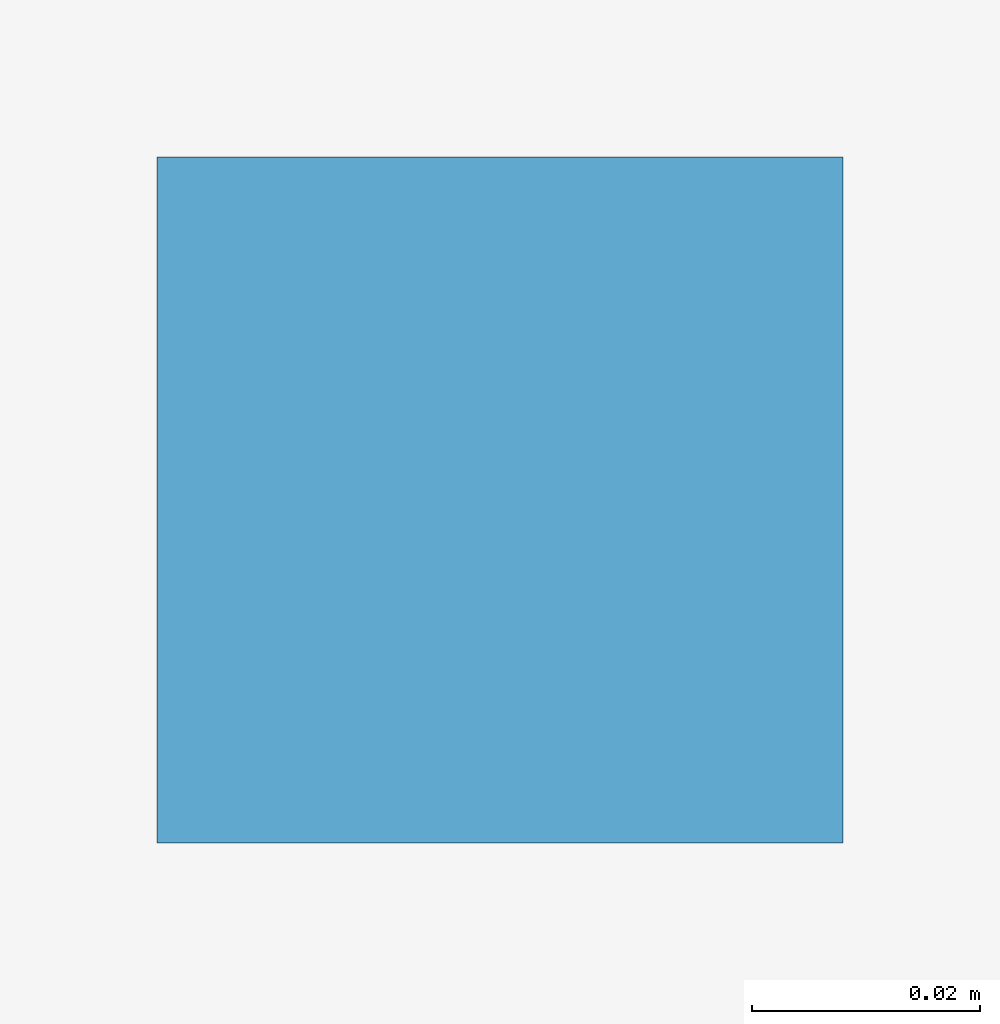
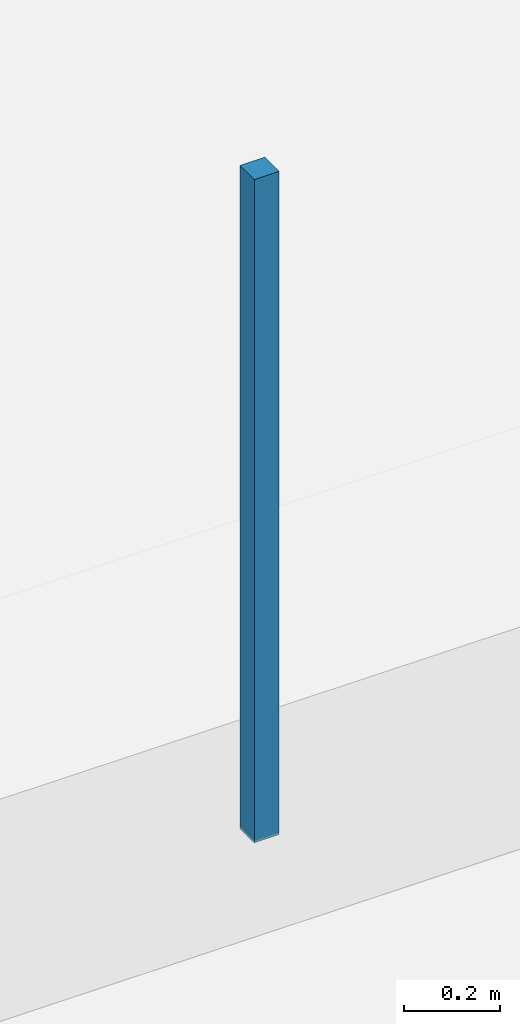
# One storey, part 104 of 119: 1 discrete accessory.
"""IFC4 building model written with IfcOpenShell, lengths in metres."""

from ifc_helpers import new_model, si_unit, derived_unit, direction, frame, origin, origin_2d, place, context, subcontext, project, spatial, rectangle, extrude, material, layer, layer_set, type_object, element, save


model = new_model("IFC4")

# Units and contexts
model_context = context("Model", 3, precision=1e-05, world=origin(), true_north=direction((0.0, 1.0)))
body_context = subcontext(model_context, "Body", "Model", "MODEL_VIEW")
ifc_project = project(units=[si_unit("LENGTHUNIT", "METRE"), si_unit("AREAUNIT", "SQUARE_METRE"), si_unit("VOLUMEUNIT", "CUBIC_METRE"), si_unit("PLANEANGLEUNIT", "RADIAN"), si_unit("MASSUNIT", "GRAM", prefix="KILO"), derived_unit("THERMALTRANSMITTANCEUNIT", [(si_unit("MASSUNIT", "GRAM", prefix="KILO"), 1), (si_unit("TIMEUNIT", "SECOND"), -3), (si_unit("THERMODYNAMICTEMPERATUREUNIT", "KELVIN"), -1)])], contexts=[model_context])

# Site, building, storey
site_placement = place(None, origin())
site = spatial("IfcSite", under=ifc_project, at=site_placement, CompositionType="ELEMENT")
building_placement = place(site_placement, origin())
building = spatial("IfcBuilding", under=site, at=building_placement, Name="Makaiwela Harbour Ferry Terminal", CompositionType="ELEMENT")
storey_placement = place(building_placement, origin())
storey = spatial("IfcBuildingStorey", under=building, at=storey_placement, Name="L00", CompositionType="ELEMENT", Elevation=0.0)

# Discrete accessory
ifc_material = material(Name="Marine grade 316L brushed stainless steel", Category="steel")
ifc_layer = layer(ifc_material, 1.0)
ifc_layer_set = layer_set([ifc_layer], Name="Marine grade 316L brushed stainless steel")
discrete_accessory_type = type_object("IfcDiscreteAccessoryType", Name="INT-ACC-HNG", PredefinedType="BRACKET", material=ifc_layer_set)
discrete_accessory_placement = place(storey_placement, frame((123.199951171875, 81.89990234375, 3.135009765625), z_axis=(0.0, 0.0, 1.0), x_axis=(1.0, 0.0, 0.0)))
element("IfcDiscreteAccessory", 1, at=discrete_accessory_placement, inside=storey, type_object=discrete_accessory_type, Name="Ceiling Suspension Bracket HNG-017", PredefinedType="BRACKET", context=body_context, shape_type="SweptSolid", body=[
    extrude(rectangle(XDim=0.06005859375, YDim=0.06005859375, at=origin_2d()), origin(), (0.0, 0.0, 1.0), 1.68994140625),
])

save(model, "model.ifc")
